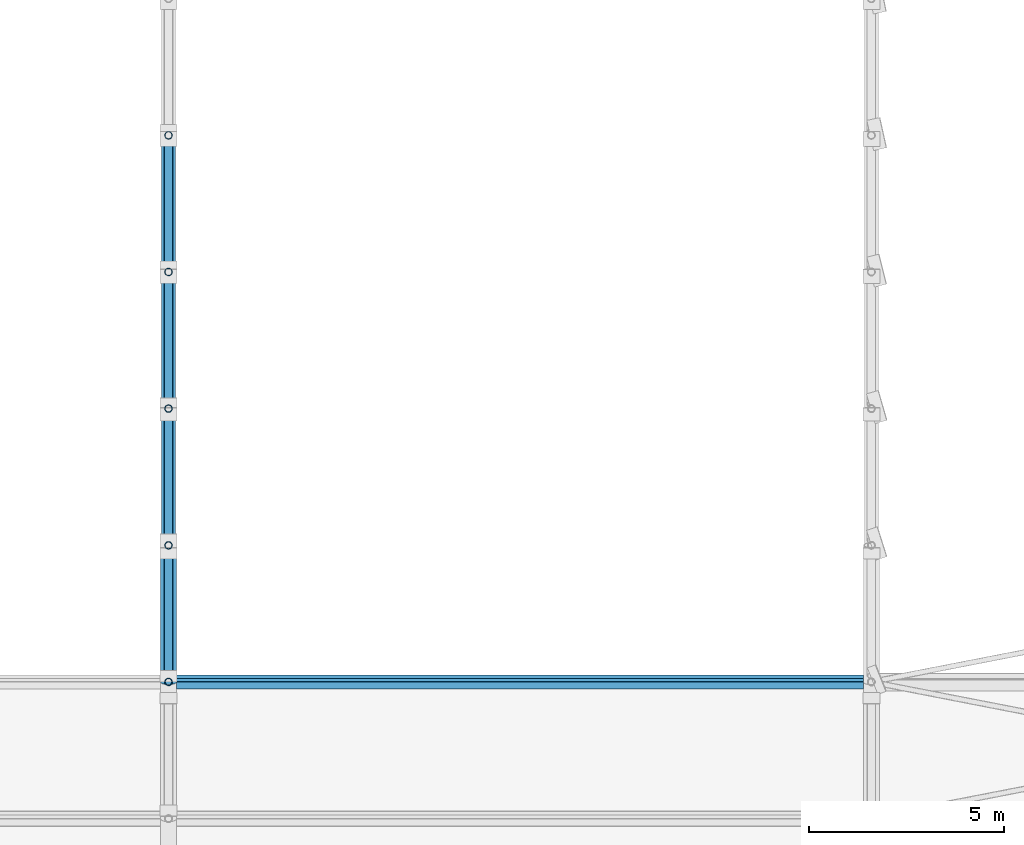
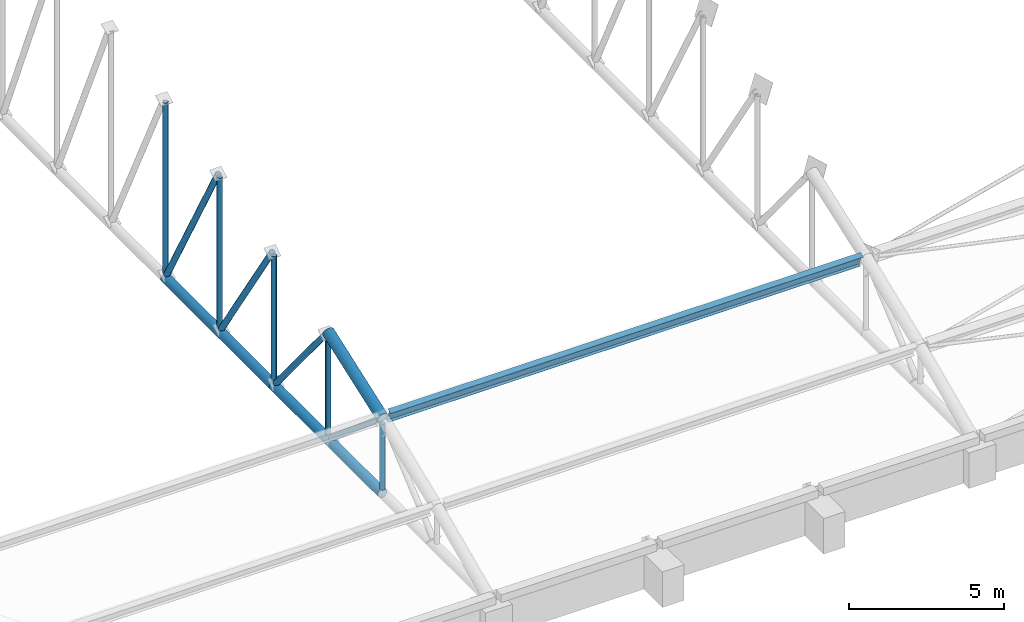
# One storey, part 40 of 196: 13 members.
"""IFC4 building model written with IfcOpenShell, lengths in metres."""

from ifc_helpers import new_model, si_unit, direction, frame, origin, origin_2d, place, context, subcontext, project, spatial, hollow_circle, i_section, extrude, material, material_profile, profile_set, type_object, element, save


model = new_model("IFC4")

# Units and contexts
model_context = context("Model", 3, precision=1e-05, world=origin(), true_north=direction((0.0, 1.0)))
body_context = subcontext(model_context, "Body", "Model", "MODEL_VIEW")
ifc_project = project(units=[si_unit("LENGTHUNIT", "METRE"), si_unit("AREAUNIT", "SQUARE_METRE"), si_unit("VOLUMEUNIT", "CUBIC_METRE"), si_unit("PLANEANGLEUNIT", "RADIAN"), si_unit("MASSUNIT", "GRAM", prefix="KILO")], contexts=[model_context])

# Site, building, storey
site_placement = place(None, origin())
site = spatial("IfcSite", under=ifc_project, at=site_placement, CompositionType="ELEMENT")
building_placement = place(site_placement, origin())
building = spatial("IfcBuilding", under=site, at=building_placement, Name="Okhra Congress Centre", CompositionType="ELEMENT")
storey_placement = place(building_placement, frame((0.0, 0.0, 12.0)))
storey = spatial("IfcBuildingStorey", under=building, at=storey_placement, Name="L02", CompositionType="ELEMENT", Elevation=12.0)

# Members
ifc_material_1 = material(Name="Steel S355J2H", Category="steel")
ifc_material_profile_1 = material_profile(ifc_material_1, hollow_circle(Radius=0.096923828125, WallThickness=0.012451171875, at=origin_2d()), Name="CHS 193.7x12.5")
ifc_profile_set_1 = profile_set([ifc_material_profile_1], Name="Steel S355J2H")
member_type_1 = type_object("IfcMemberType", Name="CHS 193.7x12.5", PredefinedType="POST", material=ifc_profile_set_1)
member_1_placement = place(storey_placement, frame((118.0, 139.0, 1.577880859375), z_axis=(0.0, 0.0, 1.0), x_axis=(1.0, 0.0, 0.0)))
element("IfcMember", 1, at=member_1_placement, inside=storey, type_object=member_type_1, Name="EH.MEM.L02.T6-VER-02", PredefinedType="POST", context=body_context, shape_type="SweptSolid", body=[
    extrude(hollow_circle(Radius=0.096923828125, WallThickness=0.012451171875, at=origin_2d()), origin(), (0.0, 0.0, 1.0), 2.578857421875),
])
member_2_placement = place(storey_placement, frame((118.0, 142.5, 1.577880859375), z_axis=(0.0, 0.0, 1.0), x_axis=(1.0, 0.0, 0.0)))
element("IfcMember", 2, at=member_2_placement, inside=storey, type_object=member_type_1, Name="EH.MEM.L02.T6-VER-03", PredefinedType="POST", context=body_context, shape_type="SweptSolid", body=[
    extrude(hollow_circle(Radius=0.096923828125, WallThickness=0.012451171875, at=origin_2d()), origin(), (0.0, 0.0, 1.0), 3.836669921875),
])
member_3_placement = place(storey_placement, frame((118.0, 146.0, 1.577880859375), z_axis=(0.0, 0.0, 1.0), x_axis=(1.0, 0.0, 0.0)))
element("IfcMember", 3, at=member_3_placement, inside=storey, type_object=member_type_1, Name="EH.MEM.L02.T6-VER-04", PredefinedType="POST", context=body_context, shape_type="SweptSolid", body=[
    extrude(hollow_circle(Radius=0.096923828125, WallThickness=0.012451171875, at=origin_2d()), origin(), (0.0, 0.0, 1.0), 4.947998046875),
])
ifc_material_profile_2 = material_profile(ifc_material_1, hollow_circle(Radius=0.096923828125, WallThickness=0.008056640625, at=origin_2d()), Name="CHS 193.7x8.0")
ifc_profile_set_2 = profile_set([ifc_material_profile_2], Name="Steel S355J2H")
member_type_2 = type_object("IfcMemberType", Name="CHS 193.7x8.0", PredefinedType="POST", material=ifc_profile_set_2)
member_4_placement = place(storey_placement, frame((118.0, 149.5, 1.577880859375), z_axis=(0.0, 0.0, 1.0), x_axis=(1.0, 0.0, 0.0)))
element("IfcMember", 4, at=member_4_placement, inside=storey, type_object=member_type_2, Name="EH.MEM.L02.T6-VER-05", PredefinedType="POST", context=body_context, shape_type="SweptSolid", body=[
    extrude(hollow_circle(Radius=0.096923828125, WallThickness=0.008056640625, at=origin_2d()), origin(), (0.0, 0.0, 1.0), 5.917724609375),
])
member_5_placement = place(storey_placement, frame((118.0, 153.0, 1.577880859375), z_axis=(0.0, 0.0, 1.0), x_axis=(1.0, 0.0, 0.0)))
element("IfcMember", 5, at=member_5_placement, inside=storey, type_object=member_type_2, Name="EH.MEM.L02.T6-VER-06", PredefinedType="POST", context=body_context, shape_type="SweptSolid", body=[
    extrude(hollow_circle(Radius=0.096923828125, WallThickness=0.008056640625, at=origin_2d()), origin(), (0.0, 0.0, 1.0), 6.750244140625),
])
ifc_material_profile_3 = material_profile(ifc_material_1, hollow_circle(Radius=0.109619140625, WallThickness=0.010009765625, at=origin_2d()), Name="CHS 219.1x10.0")
ifc_profile_set_3 = profile_set([ifc_material_profile_3], Name="Steel S355J2H")
member_type_3 = type_object("IfcMemberType", Name="CHS 219.1x10.0", PredefinedType="BRACE", material=ifc_profile_set_3)
member_6_placement = place(storey_placement, frame((118.0, 149.5927734375, 7.538330078125), z_axis=(0.0, 0.485332749729, -0.874329527147), x_axis=(-1.0, 0.0, 0.0)))
element("IfcMember", 6, at=member_6_placement, inside=storey, type_object=member_type_3, Name="EH.MEM.L02.T6-DIA-05", PredefinedType="BRACE", context=body_context, shape_type="SweptSolid", body=[
    extrude(hollow_circle(Radius=0.109619140625, WallThickness=0.010009765625, at=origin_2d()), origin(), (0.0, 0.0, 1.0), 6.817138671875),
])
ifc_material_profile_4 = material_profile(ifc_material_1, hollow_circle(Radius=0.109619140625, WallThickness=0.012451171875, at=origin_2d()), Name="CHS 219.1x12.5")
ifc_profile_set_4 = profile_set([ifc_material_profile_4], Name="Steel S355J2H")
member_type_4 = type_object("IfcMemberType", Name="CHS 219.1x12.5", PredefinedType="BRACE", material=ifc_profile_set_4)
member_7_placement = place(storey_placement, frame((118.0, 139.1611328125, 4.237060546875), z_axis=(0.0, 0.762061047132, -0.64750518179), x_axis=(-1.0, 0.0, 0.0)))
element("IfcMember", 7, at=member_7_placement, inside=storey, type_object=member_type_4, Name="EH.MEM.L02.T6-DIA-02", PredefinedType="BRACE", context=body_context, shape_type="SweptSolid", body=[
    extrude(hollow_circle(Radius=0.109619140625, WallThickness=0.012451171875, at=origin_2d()), origin(), (0.0, 0.0, 1.0), 4.106689453125),
])
member_8_placement = place(storey_placement, frame((118.0, 142.626220703125, 5.476318359375), z_axis=(0.0, 0.637599309049, -0.770368172435), x_axis=(-1.0, 0.0, 0.0)))
element("IfcMember", 8, at=member_8_placement, inside=storey, type_object=member_type_4, Name="EH.MEM.L02.T6-DIA-03", PredefinedType="BRACE", context=body_context, shape_type="SweptSolid", body=[
    extrude(hollow_circle(Radius=0.109619140625, WallThickness=0.012451171875, at=origin_2d()), origin(), (0.0, 0.0, 1.0), 5.060546875),
])
member_9_placement = place(storey_placement, frame((118.0, 146.10595703125, 6.576416015625), z_axis=(0.0, 0.548312008951, -0.836273843211), x_axis=(-1.0, 0.0, 0.0)))
element("IfcMember", 9, at=member_9_placement, inside=storey, type_object=member_type_4, Name="EH.MEM.L02.T6-DIA-04", PredefinedType="BRACE", context=body_context, shape_type="SweptSolid", body=[
    extrude(hollow_circle(Radius=0.109619140625, WallThickness=0.012451171875, at=origin_2d()), origin(), (0.0, 0.0, 1.0), 5.97705078125),
])
ifc_material_profile_5 = material_profile(ifc_material_1, hollow_circle(Radius=0.177734375, WallThickness=0.01611328125, at=origin_2d()), Name="CHS 355.6x16.0")
ifc_profile_set_5 = profile_set([ifc_material_profile_5], Name="Steel S355J2H")
member_type_5 = type_object("IfcMemberType", Name="CHS 355.6x16.0", PredefinedType="CHORD", material=ifc_profile_set_5)
for number, where, z_axis, x_axis, name in (
    (10, (118.0, 139.0, 1.39990234375), (0.0, 1.0, 0.0), (-1.0, 0.0, 0.0), "EH.MEM.L02.T6-BOT-02"),
    (11, (118.0, 146.0, 1.39990234375), (0.0, 1.0, 0.0), (-1.0, 0.0, 0.0), "EH.MEM.L02.T6-BOT-03"),
):
    element("IfcMember", number, at=place(storey_placement, frame(where, z_axis=z_axis, x_axis=x_axis)), inside=storey, type_object=member_type_5, Name=name, PredefinedType="CHORD", context=body_context, shape_type="SweptSolid", body=[
        extrude(hollow_circle(Radius=0.177734375, WallThickness=0.01611328125, at=origin_2d()), origin(), (0.0, 0.0, 1.0), 7.0),
    ])
ifc_material_profile_6 = material_profile(ifc_material_1, hollow_circle(Radius=0.203125, WallThickness=0.02490234375, at=origin_2d()), Name="CHS 406.4x25.0")
ifc_profile_set_6 = profile_set([ifc_material_profile_6], Name="Steel S355J2H")
member_type_6 = type_object("IfcMemberType", Name="CHS 406.4x25.0", PredefinedType="CHORD", material=ifc_profile_set_6)
member_10_placement = place(storey_placement, frame((118.0, 139.0, 4.3740234375), z_axis=(0.0, 0.941304373418, 0.337558997192), x_axis=(-1.0, 0.0, 0.0)))
element("IfcMember", 12, at=member_10_placement, inside=storey, type_object=member_type_6, Name="EH.MEM.L02.T6-TOP-03", PredefinedType="CHORD", context=body_context, shape_type="SweptSolid", body=[
    extrude(hollow_circle(Radius=0.203125, WallThickness=0.02490234375, at=origin_2d()), origin(), (0.0, 0.0, 1.0), 3.71826171875),
])
ifc_material_2 = material(Name="Steel S355J2", Category="steel")
ifc_material_profile_7 = material_profile(ifc_material_2, i_section(OverallWidth=0.199951171875, OverallDepth=0.5, WebThickness=0.01025390625, FlangeThickness=0.01611328125, at=origin_2d()), Name="IPE 500")
ifc_profile_set_7 = profile_set([ifc_material_profile_7], Name="Steel S355J2")
member_type_7 = type_object("IfcMemberType", Name="IPE 500", PredefinedType="PURLIN", material=ifc_profile_set_7)
member_11_placement = place(storey_placement, frame((118.203125, 139.0, 4.3740234375), z_axis=(1.0, 0.0, 0.0), x_axis=(0.0, 0.934732963292, 0.355350935465)))
element("IfcMember", 13, at=member_11_placement, inside=storey, type_object=member_type_7, Name="EH.MEM.L02.PU6-03", PredefinedType="PURLIN", context=body_context, shape_type="SweptSolid", body=[
    extrude(i_section(OverallWidth=0.199951171875, OverallDepth=0.5, WebThickness=0.01025390625, FlangeThickness=0.01611328125, at=origin_2d()), origin(), (0.0, 0.0, 1.0), 17.59375),
])

save(model, "model.ifc")
